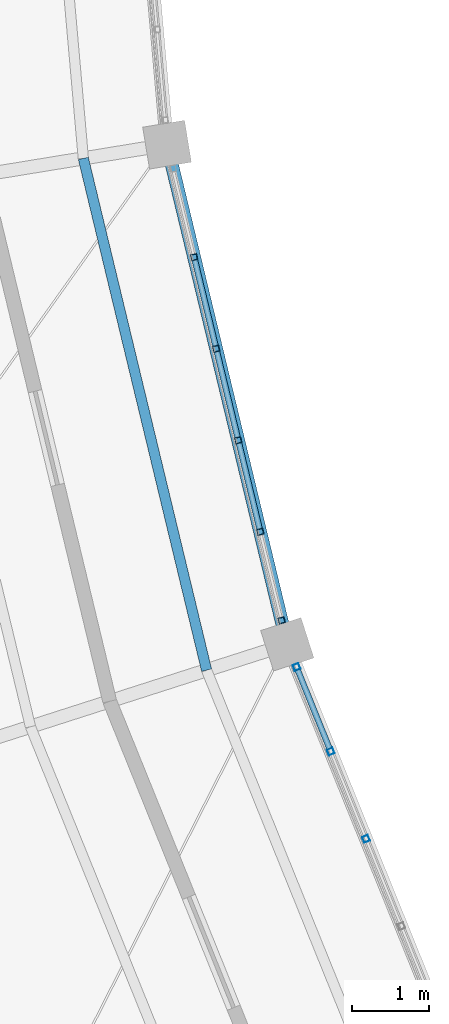
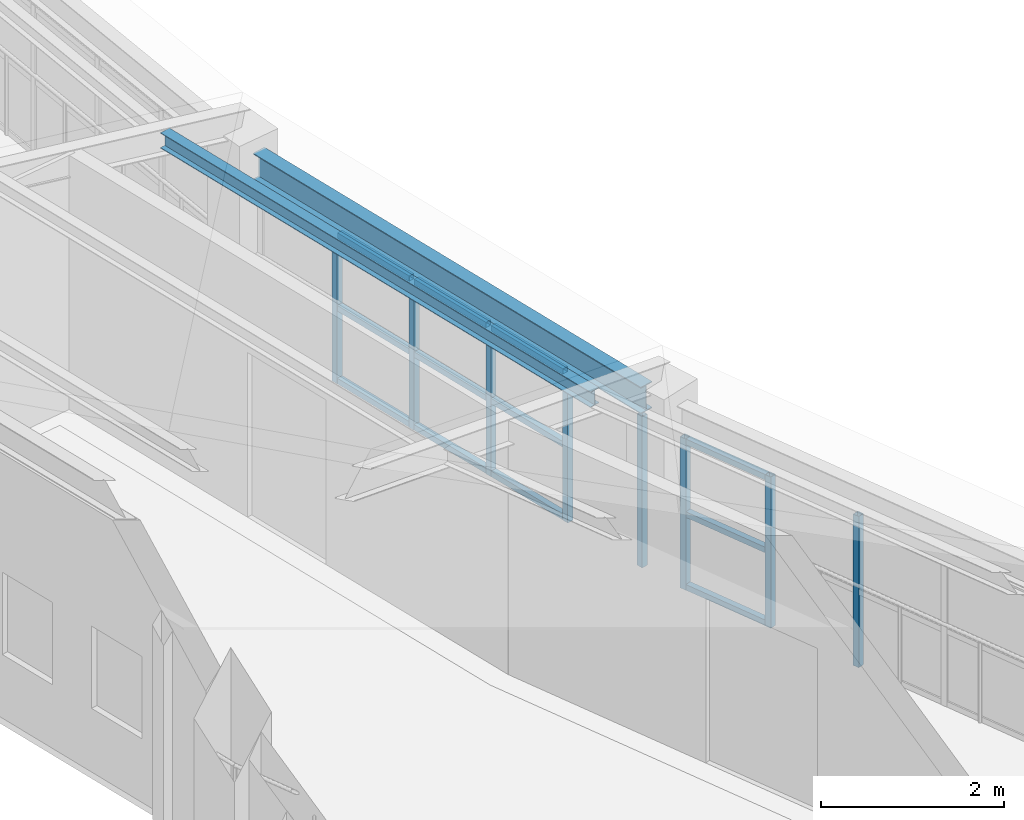
# One storey, part 26 of 149: 21 members, 1 beam, 2 elements without a shape of their own.
"""IFC4 building model written with IfcOpenShell, lengths in metres."""

from ifc_helpers import new_model, si_unit, direction, frame, origin, origin_2d, place, context, subcontext, project, spatial, hollow_rectangle, i_section, extrude, material, material_profile, profile_set, type_object, element, aggregate, save


model = new_model("IFC4")

# Units and contexts
model_context = context("Model", 3, precision=1e-05, world=origin(), true_north=direction((0.0, 1.0)))
body_context = subcontext(model_context, "Body", "Model", "MODEL_VIEW")
ifc_project = project(units=[si_unit("LENGTHUNIT", "METRE"), si_unit("AREAUNIT", "SQUARE_METRE"), si_unit("VOLUMEUNIT", "CUBIC_METRE"), si_unit("PLANEANGLEUNIT", "RADIAN"), si_unit("MASSUNIT", "GRAM", prefix="KILO")], contexts=[model_context])

# Site, building, storey
site_placement = place(None, origin())
site = spatial("IfcSite", under=ifc_project, at=site_placement, CompositionType="ELEMENT")
building_placement = place(site_placement, origin())
building = spatial("IfcBuilding", under=site, at=building_placement, Name="Celadon Cloister-Ring School", CompositionType="ELEMENT")
storey_placement = place(building_placement, frame((0.0, 0.0, 12.5)))
storey = spatial("IfcBuildingStorey", under=building, at=storey_placement, Name="L03", CompositionType="ELEMENT", Elevation=12.5)

# Curtain wall, members
ifc_material_1 = material(Name="Aluminium EN AW-6063 T6", Category="aluminium")
curtain_wall_type = type_object("IfcCurtainWallType", Name="CW-02", PredefinedType="USERDEFINED", material=ifc_material_1)
curtain_wall_1_placement = place(storey_placement, origin())
curtain_wall_1 = element("IfcCurtainWall", 1, at=curtain_wall_1_placement, inside=storey, type_object=curtain_wall_type, Name="Curtain Wall 0052", ObjectType="CURTAIN WALL", PredefinedType="USERDEFINED")
ifc_material_2 = material(Name="Aluminium EN AW-6063 T6", Category="aluminium")
ifc_material_profile_1 = material_profile(ifc_material_2, hollow_rectangle(XDim=0.080078125, YDim=0.080078125, WallThickness=0.00390625, at=origin_2d()), Name="RHS80X80X4")
ifc_profile_set_1 = profile_set([ifc_material_profile_1], Name="Aluminium EN AW-6063 T6")
member_type_1 = type_object("IfcMemberType", Name="CM-03", PredefinedType="MULLION", material=ifc_profile_set_1)
member_1_placement = place(storey_placement, frame((42.94091796875, 50.2783203125, 0.0), z_axis=(0.0, 0.0, 1.0), x_axis=(0.972214668757, 0.234091088797, 0.0)))
member_1 = element("IfcMember", 2, at=member_1_placement, type_object=member_type_1, Name="CW-02 mullion 2", PredefinedType="MULLION", context=body_context, shape_type="SweptSolid", body=[
    extrude(hollow_rectangle(XDim=0.080078125, YDim=0.080078125, WallThickness=0.00390625, at=origin_2d()), origin(), (0.0, 0.0, 1.0), 2.02001953125),
])
member_2_placement = place(storey_placement, frame((43.22705078125, 49.09033203125, 0.0), z_axis=(0.0, 0.0, 1.0), x_axis=(0.972214668757, 0.234091088797, 0.0)))
member_2 = element("IfcMember", 3, at=member_2_placement, type_object=member_type_1, Name="CW-02 mullion 3", PredefinedType="MULLION", context=body_context, shape_type="SweptSolid", body=[
    extrude(hollow_rectangle(XDim=0.080078125, YDim=0.080078125, WallThickness=0.00390625, at=origin_2d()), origin(), (0.0, 0.0, 1.0), 2.02001953125),
])
member_3_placement = place(storey_placement, frame((43.512939453125, 47.902587890625, 0.0), z_axis=(0.0, 0.0, 1.0), x_axis=(0.972214668757, 0.234091088797, 0.0)))
member_3 = element("IfcMember", 4, at=member_3_placement, type_object=member_type_1, Name="CW-02 mullion 4", PredefinedType="MULLION", context=body_context, shape_type="SweptSolid", body=[
    extrude(hollow_rectangle(XDim=0.080078125, YDim=0.080078125, WallThickness=0.00390625, at=origin_2d()), origin(), (0.0, 0.0, 1.0), 2.02001953125),
])
member_4_placement = place(storey_placement, frame((43.799072265625, 46.71484375, 0.0), z_axis=(0.0, 0.0, 1.0), x_axis=(0.972214668757, 0.234091088797, 0.0)))
member_4 = element("IfcMember", 5, at=member_4_placement, type_object=member_type_1, Name="CW-02 mullion 5", PredefinedType="MULLION", context=body_context, shape_type="SweptSolid", body=[
    extrude(hollow_rectangle(XDim=0.080078125, YDim=0.080078125, WallThickness=0.00390625, at=origin_2d()), origin(), (0.0, 0.0, 1.0), 2.02001953125),
])
member_5_placement = place(storey_placement, frame((44.07568359375, 45.56591796875, 0.0), z_axis=(0.0, 0.0, 1.0), x_axis=(0.972214668757, 0.234091088797, 0.0)))
member_5 = element("IfcMember", 6, at=member_5_placement, type_object=member_type_1, Name="CW-02 mullion 6", PredefinedType="MULLION", context=body_context, shape_type="SweptSolid", body=[
    extrude(hollow_rectangle(XDim=0.080078125, YDim=0.080078125, WallThickness=0.00390625, at=origin_2d()), origin(), (0.0, 0.0, 1.0), 2.02001953125),
])

curtain_wall_2_placement = place(storey_placement, origin())
curtain_wall_2 = element("IfcCurtainWall", 7, at=curtain_wall_2_placement, inside=storey, type_object=curtain_wall_type, Name="Curtain Wall 0053", ObjectType="CURTAIN WALL", PredefinedType="USERDEFINED")
member_6_placement = place(storey_placement, frame((44.27001953125, 44.9609375, 0.0), z_axis=(0.0, 0.0, 1.0), x_axis=(0.927036236266, 0.37497175447, 0.0)))
member_6 = element("IfcMember", 8, at=member_6_placement, type_object=member_type_1, Name="CW-02 mullion 1", PredefinedType="MULLION", context=body_context, shape_type="SweptSolid", body=[
    extrude(hollow_rectangle(XDim=0.080078125, YDim=0.080078125, WallThickness=0.00390625, at=origin_2d()), origin(), (0.0, 0.0, 1.0), 2.02001953125),
])
member_7_placement = place(storey_placement, frame((44.713134765625, 43.865234375, 0.0), z_axis=(0.0, 0.0, 1.0), x_axis=(0.927036236266, 0.37497175447, 0.0)))
member_7 = element("IfcMember", 9, at=member_7_placement, type_object=member_type_1, Name="CW-02 mullion 2", PredefinedType="MULLION", context=body_context, shape_type="SweptSolid", body=[
    extrude(hollow_rectangle(XDim=0.080078125, YDim=0.080078125, WallThickness=0.00390625, at=origin_2d()), origin(), (0.0, 0.0, 1.0), 2.02001953125),
])
member_8_placement = place(storey_placement, frame((45.17138671875, 42.732421875, 0.0), z_axis=(0.0, 0.0, 1.0), x_axis=(0.927036236266, 0.37497175447, 0.0)))
member_8 = element("IfcMember", 10, at=member_8_placement, type_object=member_type_1, Name="CW-02 mullion 3", PredefinedType="MULLION", context=body_context, shape_type="SweptSolid", body=[
    extrude(hollow_rectangle(XDim=0.080078125, YDim=0.080078125, WallThickness=0.00390625, at=origin_2d()), origin(), (0.0, 0.0, 1.0), 2.02001953125),
])

# Member
ifc_material_3 = material(Name="Aluminium EN AW-6063 T6", Category="aluminium")
ifc_material_profile_2 = material_profile(ifc_material_3, hollow_rectangle(XDim=0.074951171875, YDim=0.074951171875, WallThickness=0.00390625, at=origin_2d()), Name="RHS75X75X4")
ifc_profile_set_2 = profile_set([ifc_material_profile_2], Name="Aluminium EN AW-6063 T6")
member_type_2 = type_object("IfcMemberType", Name="CTM-03", PredefinedType="USERDEFINED", material=ifc_profile_set_2)
member_9_placement = place(storey_placement, frame((42.950439453125, 50.2392578125, 0.03759765625), z_axis=(0.23397147953, -0.972243460645, 0.0), x_axis=(0.972243460645, 0.23397147953, 0.0)))
member_9 = element("IfcMember", 11, at=member_9_placement, type_object=member_type_2, Name="CW-02 transom 2.1", ObjectType="TRANSOM", PredefinedType="USERDEFINED", context=body_context, shape_type="SweptSolid", body=[
    extrude(hollow_rectangle(XDim=0.074951171875, YDim=0.074951171875, WallThickness=0.00390625, at=origin_2d()), origin(), (0.0, 0.0, 1.0), 1.1416015625),
])

member_10_placement = place(storey_placement, frame((42.950439453125, 50.2392578125, 1.010009765625), z_axis=(0.23397147953, -0.972243460645, 0.0), x_axis=(0.972243460645, 0.23397147953, 0.0)))
member_10 = element("IfcMember", 12, at=member_10_placement, type_object=member_type_2, Name="CW-02 transom 2.2", ObjectType="TRANSOM", PredefinedType="USERDEFINED", context=body_context, shape_type="SweptSolid", body=[
    extrude(hollow_rectangle(XDim=0.074951171875, YDim=0.074951171875, WallThickness=0.00390625, at=origin_2d()), origin(), (0.0, 0.0, 1.0), 1.1416015625),
])

member_11_placement = place(storey_placement, frame((42.950439453125, 50.2392578125, 1.982421875), z_axis=(0.23397147953, -0.972243460645, 0.0), x_axis=(0.972243460645, 0.23397147953, 0.0)))
member_11 = element("IfcMember", 13, at=member_11_placement, type_object=member_type_2, Name="CW-02 transom 2.3", ObjectType="TRANSOM", PredefinedType="USERDEFINED", context=body_context, shape_type="SweptSolid", body=[
    extrude(hollow_rectangle(XDim=0.074951171875, YDim=0.074951171875, WallThickness=0.00390625, at=origin_2d()), origin(), (0.0, 0.0, 1.0), 1.1416015625),
])

member_12_placement = place(storey_placement, frame((43.236328125, 49.051513671875, 0.03759765625), z_axis=(0.234124947145, -0.972206515677, 0.0), x_axis=(0.972206515677, 0.234124947145, 0.0)))
member_12 = element("IfcMember", 14, at=member_12_placement, type_object=member_type_2, Name="CW-02 transom 3.1", ObjectType="TRANSOM", PredefinedType="USERDEFINED", context=body_context, shape_type="SweptSolid", body=[
    extrude(hollow_rectangle(XDim=0.074951171875, YDim=0.074951171875, WallThickness=0.00390625, at=origin_2d()), origin(), (0.0, 0.0, 1.0), 1.141845703125),
])

member_13_placement = place(storey_placement, frame((43.236328125, 49.051513671875, 1.010009765625), z_axis=(0.234124947145, -0.972206515677, 0.0), x_axis=(0.972206515677, 0.234124947145, 0.0)))
member_13 = element("IfcMember", 15, at=member_13_placement, type_object=member_type_2, Name="CW-02 transom 3.2", ObjectType="TRANSOM", PredefinedType="USERDEFINED", context=body_context, shape_type="SweptSolid", body=[
    extrude(hollow_rectangle(XDim=0.074951171875, YDim=0.074951171875, WallThickness=0.00390625, at=origin_2d()), origin(), (0.0, 0.0, 1.0), 1.141845703125),
])

member_14_placement = place(storey_placement, frame((43.236328125, 49.051513671875, 1.982421875), z_axis=(0.234124947145, -0.972206515677, 0.0), x_axis=(0.972206515677, 0.234124947145, 0.0)))
member_14 = element("IfcMember", 16, at=member_14_placement, type_object=member_type_2, Name="CW-02 transom 3.3", ObjectType="TRANSOM", PredefinedType="USERDEFINED", context=body_context, shape_type="SweptSolid", body=[
    extrude(hollow_rectangle(XDim=0.074951171875, YDim=0.074951171875, WallThickness=0.00390625, at=origin_2d()), origin(), (0.0, 0.0, 1.0), 1.141845703125),
])

member_15_placement = place(storey_placement, frame((43.5224609375, 47.86376953125, 0.03759765625), z_axis=(0.233922839272, -0.97225516469, 0.0), x_axis=(0.97225516469, 0.233922839272, 0.0)))
member_15 = element("IfcMember", 17, at=member_15_placement, type_object=member_type_2, Name="CW-02 transom 4.1", ObjectType="TRANSOM", PredefinedType="USERDEFINED", context=body_context, shape_type="SweptSolid", body=[
    extrude(hollow_rectangle(XDim=0.074951171875, YDim=0.074951171875, WallThickness=0.00390625, at=origin_2d()), origin(), (0.0, 0.0, 1.0), 1.141845703125),
])

member_16_placement = place(storey_placement, frame((43.5224609375, 47.86376953125, 1.010009765625), z_axis=(0.233922839272, -0.97225516469, 0.0), x_axis=(0.97225516469, 0.233922839272, 0.0)))
member_16 = element("IfcMember", 18, at=member_16_placement, type_object=member_type_2, Name="CW-02 transom 4.2", ObjectType="TRANSOM", PredefinedType="USERDEFINED", context=body_context, shape_type="SweptSolid", body=[
    extrude(hollow_rectangle(XDim=0.074951171875, YDim=0.074951171875, WallThickness=0.00390625, at=origin_2d()), origin(), (0.0, 0.0, 1.0), 1.141845703125),
])

member_17_placement = place(storey_placement, frame((43.5224609375, 47.86376953125, 1.982421875), z_axis=(0.233922839272, -0.97225516469, 0.0), x_axis=(0.97225516469, 0.233922839272, 0.0)))
member_17 = element("IfcMember", 19, at=member_17_placement, type_object=member_type_2, Name="CW-02 transom 4.3", ObjectType="TRANSOM", PredefinedType="USERDEFINED", context=body_context, shape_type="SweptSolid", body=[
    extrude(hollow_rectangle(XDim=0.074951171875, YDim=0.074951171875, WallThickness=0.00390625, at=origin_2d()), origin(), (0.0, 0.0, 1.0), 1.141845703125),
])

aggregate(curtain_wall_1, [member_1, member_2, member_3, member_4, member_5, member_9, member_10, member_11, member_12, member_13, member_14, member_15, member_16, member_17])

member_18_placement = place(storey_placement, frame((44.284912109375, 44.923828125, 0.03759765625), z_axis=(0.375093039512, -0.926987169118, 0.0), x_axis=(0.926987169118, 0.375093039512, 0.0)))
member_18 = element("IfcMember", 20, at=member_18_placement, type_object=member_type_2, Name="CW-02 transom 1.1", ObjectType="TRANSOM", PredefinedType="USERDEFINED", context=body_context, shape_type="SweptSolid", body=[
    extrude(hollow_rectangle(XDim=0.074951171875, YDim=0.074951171875, WallThickness=0.00390625, at=origin_2d()), origin(), (0.0, 0.0, 1.0), 1.10205078125),
])

member_19_placement = place(storey_placement, frame((44.284912109375, 44.923828125, 1.010009765625), z_axis=(0.375093039512, -0.926987169118, 0.0), x_axis=(0.926987169118, 0.375093039512, 0.0)))
member_19 = element("IfcMember", 21, at=member_19_placement, type_object=member_type_2, Name="CW-02 transom 1.2", ObjectType="TRANSOM", PredefinedType="USERDEFINED", context=body_context, shape_type="SweptSolid", body=[
    extrude(hollow_rectangle(XDim=0.074951171875, YDim=0.074951171875, WallThickness=0.00390625, at=origin_2d()), origin(), (0.0, 0.0, 1.0), 1.10205078125),
])

member_20_placement = place(storey_placement, frame((44.284912109375, 44.923828125, 1.982421875), z_axis=(0.375093039512, -0.926987169118, 0.0), x_axis=(0.926987169118, 0.375093039512, 0.0)))
member_20 = element("IfcMember", 22, at=member_20_placement, type_object=member_type_2, Name="CW-02 transom 1.3", ObjectType="TRANSOM", PredefinedType="USERDEFINED", context=body_context, shape_type="SweptSolid", body=[
    extrude(hollow_rectangle(XDim=0.074951171875, YDim=0.074951171875, WallThickness=0.00390625, at=origin_2d()), origin(), (0.0, 0.0, 1.0), 1.10205078125),
])

aggregate(curtain_wall_2, [member_6, member_7, member_8, member_18, member_19, member_20])

# Beam
ifc_material_4 = material(Name="Structural steel S355JR", Category="steel")
ifc_material_profile_3 = material_profile(ifc_material_4, i_section(OverallWidth=0.1708984375, OverallDepth=0.35498046875, WebThickness=0.007080078125, FlangeThickness=0.01171875, at=origin_2d()), Name="W360X51")
ifc_profile_set_3 = profile_set([ifc_material_profile_3], Name="Structural steel S355JR")
beam_type = type_object("IfcBeamType", Name="GT-08", PredefinedType="USERDEFINED", material=ifc_profile_set_3)
beam_placement = place(storey_placement, frame((42.64892578125, 51.493896484375, 2.27197265625), z_axis=(0.233889575607, -0.972263167266, 0.0), x_axis=(0.972263167266, 0.233889575607, 0.0)))
element("IfcBeam", 23, at=beam_placement, inside=storey, type_object=beam_type, Name="Beam 0541", ObjectType="GIRDER", PredefinedType="USERDEFINED", context=body_context, shape_type="SweptSolid", body=[
    extrude(i_section(OverallWidth=0.1708984375, OverallDepth=0.35498046875, WebThickness=0.007080078125, FlangeThickness=0.01171875, at=origin_2d()), origin(), (0.0, 0.0, 1.0), 6.166015625),
])

# Member
ifc_material_5 = material(Name="Structural steel S355JR", Category="steel")
ifc_material_profile_4 = material_profile(ifc_material_5, i_section(OverallWidth=0.133056640625, OverallDepth=0.20703125, WebThickness=0.005859375, FlangeThickness=0.00830078125, at=origin_2d()), Name="W200X27")
ifc_profile_set_4 = profile_set([ifc_material_profile_4], Name="Structural steel S355JR")
member_type_3 = type_object("IfcMemberType", Name="MP-04", PredefinedType="PURLIN", material=ifc_profile_set_4)
member_21_placement = place(storey_placement, frame((41.50390625, 51.56005859375, 2.970947265625), z_axis=(0.234132674764, -0.972204654693, 0.0), x_axis=(0.972204654693, 0.234132674764, 0.0)))
element("IfcMember", 24, at=member_21_placement, inside=storey, type_object=member_type_3, Name="Structural Member 0117", PredefinedType="PURLIN", context=body_context, shape_type="SweptSolid", body=[
    extrude(i_section(OverallWidth=0.133056640625, OverallDepth=0.20703125, WebThickness=0.005859375, FlangeThickness=0.00830078125, at=origin_2d()), origin(), (0.0, 0.0, 1.0), 6.830078125),
])

save(model, "model.ifc")
